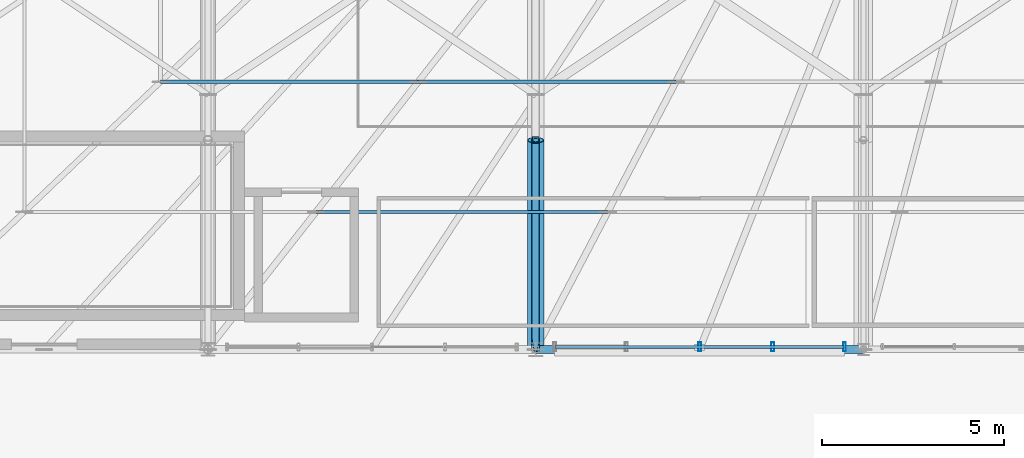
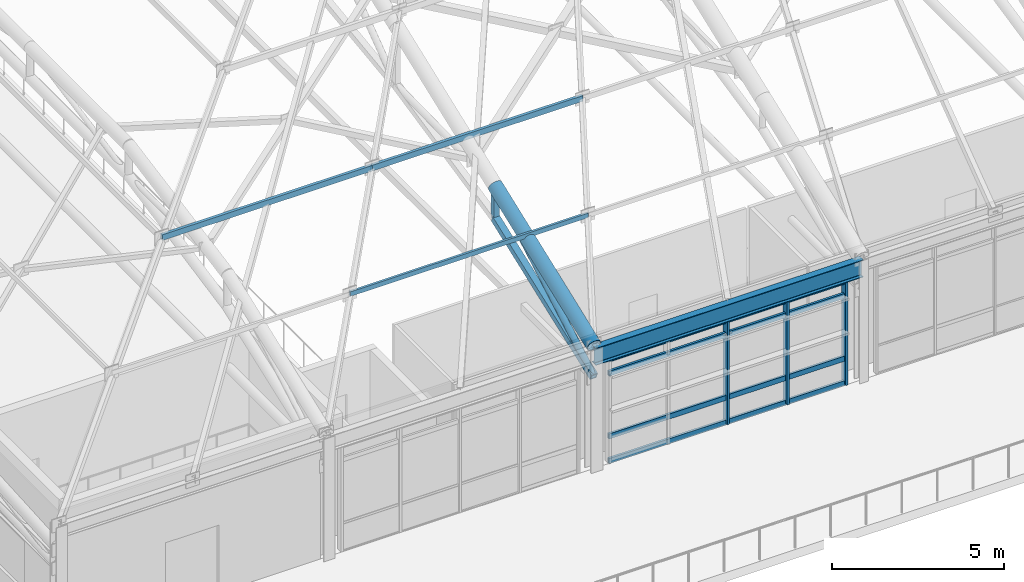
# One storey, part 20 of 168: 13 members, 2 beams, 1 element without a shape of its own.
"""IFC4 building model written with IfcOpenShell, lengths in metres."""

from ifc_helpers import new_model, si_unit, direction, frame, origin, origin_2d, place, context, subcontext, project, spatial, hollow_rectangle, hollow_circle, i_section, extrude, material, material_profile, profile_set, type_object, element, aggregate, save


model = new_model("IFC4")

# Units and contexts
model_context = context("Model", 3, precision=1e-05, world=origin(), true_north=direction((0.0, 1.0)))
body_context = subcontext(model_context, "Body", "Model", "MODEL_VIEW")
ifc_project = project(units=[si_unit("LENGTHUNIT", "METRE"), si_unit("AREAUNIT", "SQUARE_METRE"), si_unit("VOLUMEUNIT", "CUBIC_METRE"), si_unit("PLANEANGLEUNIT", "RADIAN"), si_unit("MASSUNIT", "GRAM", prefix="KILO"), si_unit("THERMODYNAMICTEMPERATUREUNIT", "KELVIN"), si_unit("POWERUNIT", "WATT")], contexts=[model_context])

# Site, building, storey
site_placement = place(None, origin())
site = spatial("IfcSite", under=ifc_project, at=site_placement, CompositionType="ELEMENT")
building_placement = place(site_placement, origin())
building = spatial("IfcBuilding", under=site, at=building_placement, Name="Tepalcoro Natatorium and Aquatics Centre", CompositionType="ELEMENT")
storey_placement = place(building_placement, frame((0.0, 0.0, 10.199951171875)))
storey = spatial("IfcBuildingStorey", under=building, at=storey_placement, Name="L02", CompositionType="ELEMENT", Elevation=10.199951171875)

# Beam
ifc_material_1 = material(Name="Terracotta Painted Hollow Steel ASTM A500 Grade C (Fy 345 MPa)", Category="masonry")
ifc_material_profile_1 = material_profile(ifc_material_1, hollow_circle(Radius=0.228515625, WallThickness=0.02001953125, at=origin_2d()), Name="CHS457X20")
ifc_profile_set_1 = profile_set([ifc_material_profile_1], Name="Terracotta Painted Hollow Steel ASTM A500 Grade C (Fy 345 MPa)")
beam_type_1 = type_object("IfcBeamType", Name="AC_CHS457x20", PredefinedType="USERDEFINED", material=ifc_profile_set_1)
beam_1_placement = place(storey_placement, frame((71.0, 13.0, 4.37158203125), z_axis=(0.0, 0.934186419385, 0.356785276935), x_axis=(-1.0, 0.0, 0.0)))
element("IfcBeam", 1, at=beam_1_placement, inside=storey, type_object=beam_type_1, Name="V1 Arched Truss Top Chord 3", ObjectType="ARCH CHORD", PredefinedType="USERDEFINED", context=body_context, shape_type="SweptSolid", body=[
    extrude(hollow_circle(Radius=0.228515625, WallThickness=0.02001953125, at=origin_2d()), origin(), (0.0, 0.0, 1.0), 6.155029296875),
])

# Curtain wall, members
ifc_material_2 = material(Name="Bronze-Anodised Extruded Aluminium Alloy EN AW-6063 T6", Category="aluminium")
curtain_wall_type = type_object("IfcCurtainWallType", Name="CW_V4_VILLAGE", PredefinedType="USERDEFINED", material=ifc_material_2)
curtain_wall_placement = place(storey_placement, origin())
curtain_wall = element("IfcCurtainWall", 2, at=curtain_wall_placement, inside=storey, type_object=curtain_wall_type, Name="V1 L02 S Unitised Curtain Wall Bay 3", ObjectType="UNITISED STOREFRONT", PredefinedType="USERDEFINED")
ifc_material_profile_2 = material_profile(ifc_material_2, hollow_rectangle(XDim=0.080078125, YDim=0.239990234375, WallThickness=0.0048828125, at=origin_2d()), Name="AL80X240X5")
ifc_profile_set_2 = profile_set([ifc_material_profile_2], Name="Bronze-Anodised Extruded Aluminium Alloy EN AW-6063 T6")
member_type_1 = type_object("IfcMemberType", Name="CW_MUL_80x240", PredefinedType="MULLION", material=ifc_profile_set_2)
member_1_placement = place(storey_placement, frame((75.5, 13.0712890625, 0.02001953125), z_axis=(0.0, 0.0, 1.0), x_axis=(1.0, 0.0, 0.0)))
member_1 = element("IfcMember", 3, at=member_1_placement, type_object=member_type_1, Name="CW_V4_VILLAGE Curtain Wall Mullion", PredefinedType="MULLION", context=body_context, shape_type="SweptSolid", body=[
    extrude(hollow_rectangle(XDim=0.080078125, YDim=0.239990234375, WallThickness=0.0048828125, at=origin_2d()), origin(), (0.0, 0.0, 1.0), 3.66796875),
])
member_2_placement = place(storey_placement, frame((77.510009765625, 13.0712890625, 0.02001953125), z_axis=(0.0, 0.0, 1.0), x_axis=(1.0, 0.0, 0.0)))
member_2 = element("IfcMember", 4, at=member_2_placement, type_object=member_type_1, Name="CW_V4_VILLAGE Curtain Wall Mullion", PredefinedType="MULLION", context=body_context, shape_type="SweptSolid", body=[
    extrude(hollow_rectangle(XDim=0.080078125, YDim=0.239990234375, WallThickness=0.0048828125, at=origin_2d()), origin(), (0.0, 0.0, 1.0), 3.66796875),
])
member_3_placement = place(storey_placement, frame((79.47998046875, 13.0712890625, 0.02001953125), z_axis=(0.0, 0.0, 1.0), x_axis=(1.0, 0.0, 0.0)))
member_3 = element("IfcMember", 5, at=member_3_placement, type_object=member_type_1, Name="CW_V4_VILLAGE Curtain Wall Mullion", PredefinedType="MULLION", context=body_context, shape_type="SweptSolid", body=[
    extrude(hollow_rectangle(XDim=0.080078125, YDim=0.239990234375, WallThickness=0.0048828125, at=origin_2d()), origin(), (0.0, 0.0, 1.0), 3.66796875),
])
ifc_material_profile_3 = material_profile(ifc_material_2, hollow_rectangle(XDim=0.080078125, YDim=0.179931640625, WallThickness=0.0048828125, at=origin_2d()), Name="AL80X180X5")
ifc_profile_set_3 = profile_set([ifc_material_profile_3], Name="Bronze-Anodised Extruded Aluminium Alloy EN AW-6063 T6")
member_type_2 = type_object("IfcMemberType", Name="CW_TRN_80x180", PredefinedType="USERDEFINED", material=ifc_profile_set_3)
member_4_placement = place(storey_placement, frame((71.530029296875, 13.0712890625, 0.050048828125), z_axis=(1.0, 0.0, 0.0), x_axis=(0.0, 1.0, 0.0)))
member_4 = element("IfcMember", 6, at=member_4_placement, type_object=member_type_2, Name="CW_V4_VILLAGE Curtain Wall Transom", ObjectType="TRANSOM", PredefinedType="USERDEFINED", context=body_context, shape_type="SweptSolid", body=[
    extrude(hollow_rectangle(XDim=0.080078125, YDim=0.179931640625, WallThickness=0.0048828125, at=origin_2d()), origin(), (0.0, 0.0, 1.0), 7.93994140625),
])
member_5_placement = place(storey_placement, frame((71.530029296875, 13.0712890625, 0.927001953125), z_axis=(1.0, 0.0, 0.0), x_axis=(0.0, 1.0, 0.0)))
member_5 = element("IfcMember", 7, at=member_5_placement, type_object=member_type_2, Name="CW_V4_VILLAGE Curtain Wall Transom", ObjectType="TRANSOM", PredefinedType="USERDEFINED", context=body_context, shape_type="SweptSolid", body=[
    extrude(hollow_rectangle(XDim=0.080078125, YDim=0.179931640625, WallThickness=0.0048828125, at=origin_2d()), origin(), (0.0, 0.0, 1.0), 7.93994140625),
])
member_6_placement = place(storey_placement, frame((71.530029296875, 13.0712890625, 3.157958984375), z_axis=(1.0, 0.0, 0.0), x_axis=(0.0, 1.0, 0.0)))
member_6 = element("IfcMember", 8, at=member_6_placement, type_object=member_type_2, Name="CW_V4_VILLAGE Curtain Wall Transom", ObjectType="TRANSOM", PredefinedType="USERDEFINED", context=body_context, shape_type="SweptSolid", body=[
    extrude(hollow_rectangle(XDim=0.080078125, YDim=0.179931640625, WallThickness=0.0048828125, at=origin_2d()), origin(), (0.0, 0.0, 1.0), 7.93994140625),
])
member_7_placement = place(storey_placement, frame((71.530029296875, 13.0712890625, 3.657958984375), z_axis=(1.0, 0.0, 0.0), x_axis=(0.0, 1.0, 0.0)))
member_7 = element("IfcMember", 9, at=member_7_placement, type_object=member_type_2, Name="CW_V4_VILLAGE Curtain Wall Transom", ObjectType="TRANSOM", PredefinedType="USERDEFINED", context=body_context, shape_type="SweptSolid", body=[
    extrude(hollow_rectangle(XDim=0.080078125, YDim=0.179931640625, WallThickness=0.0048828125, at=origin_2d()), origin(), (0.0, 0.0, 1.0), 7.93994140625),
])
aggregate(curtain_wall, [member_1, member_2, member_3, member_4, member_5, member_6, member_7])

# Members
ifc_material_profile_4 = material_profile(ifc_material_1, hollow_rectangle(XDim=0.219970703125, YDim=0.219970703125, WallThickness=0.011962890625, at=origin_2d()), Name="HSS220X220X12")
ifc_profile_set_4 = profile_set([ifc_material_profile_4], Name="Terracotta Painted Hollow Steel ASTM A500 Grade C (Fy 345 MPa)")
member_type_3 = type_object("IfcMemberType", Name="MB_CH_HSS220x220x12", PredefinedType="CHORD", material=ifc_profile_set_4)
member_8_placement = place(storey_placement, frame((71.0, 13.0, 3.271484375), z_axis=(0.0, 0.936303034888, 0.351193147512), x_axis=(-1.0, 0.0, 0.0)))
element("IfcMember", 10, at=member_8_placement, inside=storey, type_object=member_type_3, Name="V1 Arched Truss Bottom Chord 3", PredefinedType="CHORD", context=body_context, shape_type="SweptSolid", body=[
    extrude(hollow_rectangle(XDim=0.219970703125, YDim=0.219970703125, WallThickness=0.011962890625, at=origin_2d()), origin(), (0.0, 0.0, 1.0), 6.14111328125),
])
ifc_material_3 = material(Name="Hollow Steel ASTM A500 Grade C (Fy 345 MPa)", Category="steel")
ifc_material_profile_5 = material_profile(ifc_material_3, hollow_rectangle(XDim=0.080078125, YDim=0.159912109375, WallThickness=0.008056640625, at=origin_2d()), Name="HSS160X80X8")
ifc_profile_set_5 = profile_set([ifc_material_profile_5], Name="Hollow Steel ASTM A500 Grade C (Fy 345 MPa)")
member_type_4 = type_object("IfcMemberType", Name="MB_PR_HSS160x80x8", PredefinedType="PURLIN", material=ifc_profile_set_5)
member_9_placement = place(storey_placement, frame((64.969970703125, 16.780029296875, 6.03662109375), z_axis=(1.0, 0.0, 0.0), x_axis=(0.0, 1.0, 0.0)))
element("IfcMember", 11, at=member_9_placement, inside=storey, type_object=member_type_4, Name="Pyramid Horizontal Purlin South", PredefinedType="PURLIN", context=body_context, shape_type="SweptSolid", body=[
    extrude(hollow_rectangle(XDim=0.080078125, YDim=0.159912109375, WallThickness=0.008056640625, at=origin_2d()), origin(), (0.0, 0.0, 1.0), 8.010009765625),
])
ifc_material_profile_6 = material_profile(ifc_material_3, hollow_rectangle(XDim=0.10009765625, YDim=0.199951171875, WallThickness=0.008056640625, at=origin_2d()), Name="HSS200X100X8")
ifc_profile_set_6 = profile_set([ifc_material_profile_6], Name="Hollow Steel ASTM A500 Grade C (Fy 345 MPa)")
member_type_5 = type_object("IfcMemberType", Name="MB_PR_HSS200x100x8", PredefinedType="PURLIN", material=ifc_profile_set_6)
member_10_placement = place(storey_placement, frame((60.699951171875, 20.35009765625, 7.380126953125), z_axis=(1.0, 0.0, 0.0), x_axis=(0.0, 1.0, 0.0)))
element("IfcMember", 12, at=member_10_placement, inside=storey, type_object=member_type_5, Name="Pyramid Horizontal Purlin South", PredefinedType="PURLIN", context=body_context, shape_type="SweptSolid", body=[
    extrude(hollow_rectangle(XDim=0.10009765625, YDim=0.199951171875, WallThickness=0.008056640625, at=origin_2d()), origin(), (0.0, 0.0, 1.0), 7.074951171875),
])
member_11_placement = place(storey_placement, frame((67.77490234375, 20.35009765625, 7.380126953125), z_axis=(1.0, 0.0, 0.0), x_axis=(0.0, 1.0, 0.0)))
element("IfcMember", 13, at=member_11_placement, inside=storey, type_object=member_type_5, Name="Pyramid Horizontal Purlin South", PredefinedType="PURLIN", context=body_context, shape_type="SweptSolid", body=[
    extrude(hollow_rectangle(XDim=0.10009765625, YDim=0.199951171875, WallThickness=0.008056640625, at=origin_2d()), origin(), (0.0, 0.0, 1.0), 7.0751953125),
])
ifc_material_profile_7 = material_profile(ifc_material_1, hollow_rectangle(XDim=0.179931640625, YDim=0.179931640625, WallThickness=0.010009765625, at=origin_2d()), Name="HSS180X180X10")
ifc_profile_set_7 = profile_set([ifc_material_profile_7], Name="Terracotta Painted Hollow Steel ASTM A500 Grade C (Fy 345 MPa)")
member_type_6 = type_object("IfcMemberType", Name="MB_PS_HSS180x180x10", PredefinedType="POST", material=ifc_profile_set_7)
member_12_placement = place(storey_placement, frame((71.0, 18.75, 5.42822265625), z_axis=(0.0, 0.0, 1.0), x_axis=(1.0, 0.0, 0.0)))
element("IfcMember", 14, at=member_12_placement, inside=storey, type_object=member_type_6, Name="V1 Arched Truss Vertical Post 3", PredefinedType="POST", context=body_context, shape_type="SweptSolid", body=[
    extrude(hollow_rectangle(XDim=0.179931640625, YDim=0.179931640625, WallThickness=0.010009765625, at=origin_2d()), origin(), (0.0, 0.0, 1.0), 1.139404296875),
])
ifc_material_profile_8 = material_profile(ifc_material_1, hollow_circle(Radius=0.109619140625, WallThickness=0.013916015625, at=origin_2d()), Name="CHS219X14")
ifc_profile_set_8 = profile_set([ifc_material_profile_8], Name="Terracotta Painted Hollow Steel ASTM A500 Grade C (Fy 345 MPa)")
member_type_7 = type_object("IfcMemberType", Name="MB_ST_CHS219x14", PredefinedType="STRUT", material=ifc_profile_set_8)
member_13_placement = place(storey_placement, frame((71.0, 13.0, 3.271484375), z_axis=(0.0, 0.867564547129, 0.497324598794), x_axis=(-1.0, 0.0, 0.0)))
element("IfcMember", 15, at=member_13_placement, inside=storey, type_object=member_type_7, Name="V1 Arched Truss Web Diagonal 3", PredefinedType="STRUT", context=body_context, shape_type="SweptSolid", body=[
    extrude(hollow_circle(Radius=0.109619140625, WallThickness=0.013916015625, at=origin_2d()), origin(), (0.0, 0.0, 1.0), 6.627685546875),
])

# Beam
ifc_material_4 = material(Name="Steel ASTM A992 Grade 50 (Fy 345 MPa)", Category="steel")
ifc_material_profile_9 = material_profile(ifc_material_4, i_section(OverallWidth=0.22900390625, OverallDepth=0.612060546875, WebThickness=0.011962890625, FlangeThickness=0.02001953125, FilletRadius=0.013916015625, at=origin_2d()), Name="W24X84")
ifc_profile_set_9 = profile_set([ifc_material_profile_9], Name="Steel ASTM A992 Grade 50 (Fy 345 MPa)")
beam_type_2 = type_object("IfcBeamType", Name="SP_W24x84", PredefinedType="SPANDREL", material=ifc_profile_set_9)
beam_2_placement = place(storey_placement, frame((71.0, 13.0, 4.029052734375), z_axis=(1.0, 0.0, 0.0), x_axis=(0.0, 1.0, 0.0)))
element("IfcBeam", 16, at=beam_2_placement, inside=storey, type_object=beam_type_2, Name="V1 L02 Grid Girder X", PredefinedType="SPANDREL", context=body_context, shape_type="SweptSolid", body=[
    extrude(i_section(OverallWidth=0.22900390625, OverallDepth=0.612060546875, WebThickness=0.011962890625, FlangeThickness=0.02001953125, FilletRadius=0.013916015625, at=origin_2d()), origin(), (0.0, 0.0, 1.0), 9.0),
])

save(model, "model.ifc")
